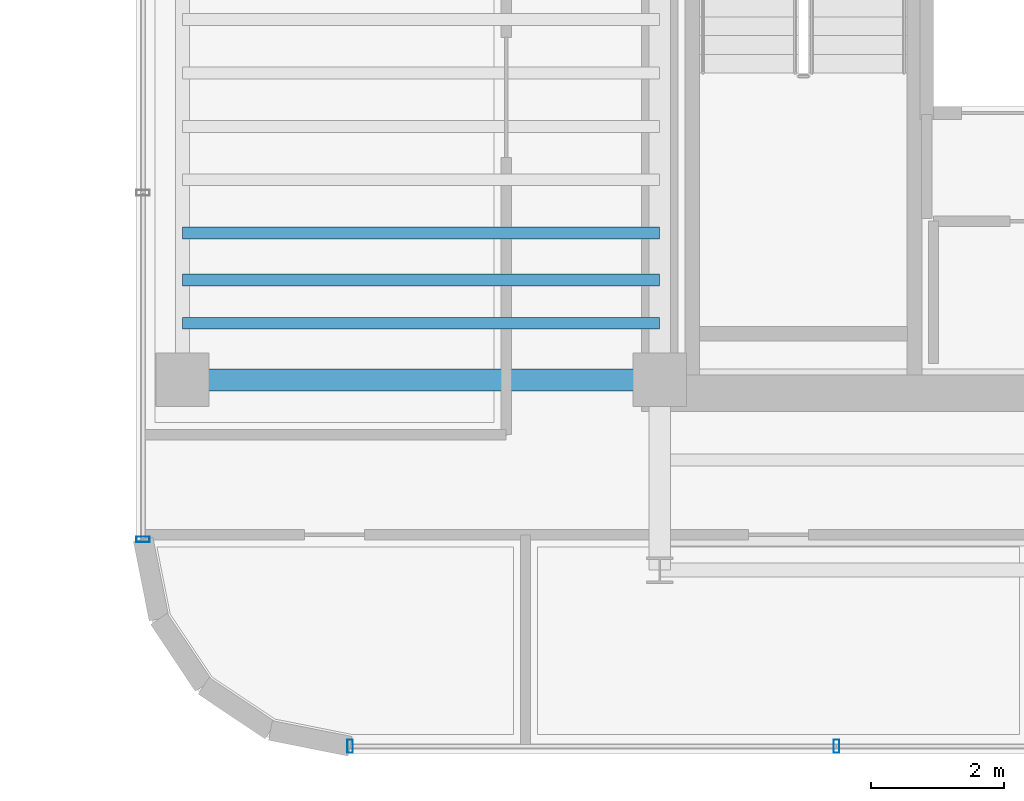
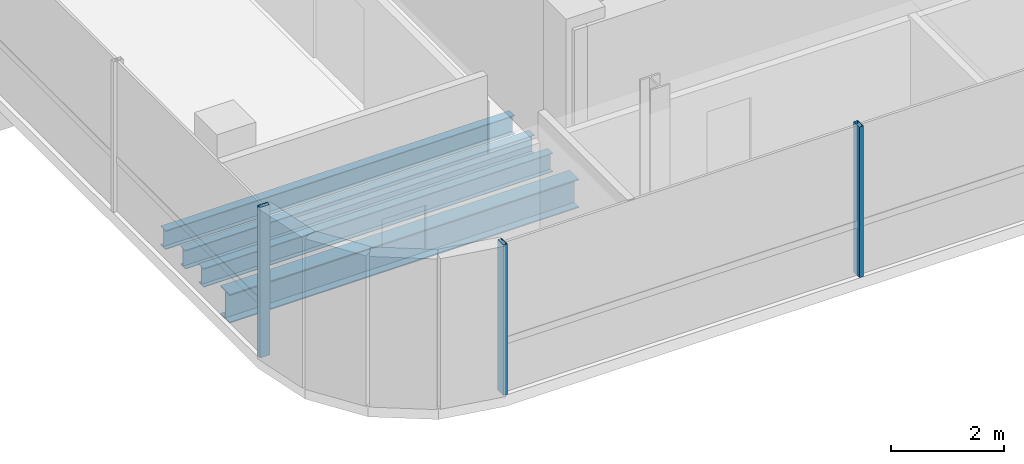
# One storey, part 2 of 18: 4 beams, 3 members, 2 elements without a shape of their own.
"""IFC4 building model written with IfcOpenShell, lengths in metres."""

from ifc_helpers import new_model, si_unit, direction, frame, origin, origin_2d, place, context, subcontext, project, spatial, hollow_rectangle, i_section, extrude, source, transform, mapped, material, material_profile, profile_set, type_object, element, aggregate, save


model = new_model("IFC4")

# Units and contexts
model_context = context("Model", 3, precision=1e-05, world=origin(), true_north=direction((0.0, 1.0)))
body_context = subcontext(model_context, "Body", "Model", "MODEL_VIEW")
ifc_project = project(units=[si_unit("LENGTHUNIT", "METRE"), si_unit("AREAUNIT", "SQUARE_METRE"), si_unit("VOLUMEUNIT", "CUBIC_METRE"), si_unit("PLANEANGLEUNIT", "RADIAN"), si_unit("MASSUNIT", "GRAM", prefix="KILO")], contexts=[model_context])

# Site, building, storey
site_placement = place(None, origin())
site = spatial("IfcSite", under=ifc_project, at=site_placement, CompositionType="ELEMENT")
building_placement = place(site_placement, origin())
building = spatial("IfcBuilding", under=site, at=building_placement, Name="Valdorenza Pilgrim Sanctuary Tower", CompositionType="ELEMENT")
storey_placement = place(building_placement, frame((0.0, 0.0, 276.5)))
storey = spatial("IfcBuildingStorey", under=building, at=storey_placement, Name="L72", CompositionType="ELEMENT", Elevation=276.5)

# Beams
ifc_material_1 = material(Name="Steel ASTM A992 Grade 50", Category="steel")
ifc_material_profile_1 = material_profile(ifc_material_1, i_section(OverallWidth=0.177978515625, OverallDepth=0.406005859375, WebThickness=0.0078125, FlangeThickness=0.0126953125, at=origin_2d()), Name="W16X40")
ifc_profile_set_1 = profile_set([ifc_material_profile_1], Name="Steel ASTM A992 Grade 50")
beam_type_1 = type_object("IfcBeamType", Name="STR-BM-JST-W16", PredefinedType="JOIST", material=ifc_profile_set_1)
shared_shape_1 = source(origin(), body_context, "Body", "SweptSolid", [
    extrude(i_section(OverallWidth=0.177978515625, OverallDepth=0.406005859375, WebThickness=0.0078125, FlangeThickness=0.0126953125, at=origin_2d()), origin(), (0.0, 0.0, 1.0), 7.150146484375),
])
for number, where, z_axis, x_axis, name in (
    (1, (-29.800048828125, -9.75, -0.443115234375), (1.0, 0.0, 0.0), (0.0, 1.0, 0.0), "L72 Composite Floor Joist JST-WA-1"),
    (2, (-29.800048828125, -9.10009765625, -0.443115234375), (1.0, 0.0, 0.0), (0.0, 1.0, 0.0), "L72 Composite Floor Joist JST-WA-2"),
    (3, (-29.800048828125, -8.39990234375, -0.443115234375), (1.0, 0.0, 0.0), (0.0, 1.0, 0.0), "L72 Composite Floor Joist JST-WA-3"),
):
    element("IfcBeam", number, at=place(storey_placement, frame(where, z_axis=z_axis, x_axis=x_axis)), inside=storey, type_object=beam_type_1, Name=name, PredefinedType="JOIST", context=body_context, shape_type="MappedRepresentation", body=[
        mapped(shared_shape_1, transform((0.0, 0.0, 0.0), x_axis=(1.0, 0.0, 0.0), y_axis=(0.0, 1.0, 0.0), z_axis=(0.0, 0.0, 1.0), scale=1.0)),
    ])
ifc_material_profile_2 = material_profile(ifc_material_1, i_section(OverallWidth=0.326904296875, OverallDepth=0.6220703125, WebThickness=0.015380859375, FlangeThickness=0.0244140625, at=origin_2d()), Name="W24X131")
ifc_profile_set_2 = profile_set([ifc_material_profile_2], Name="Steel ASTM A992 Grade 50")
beam_type_2 = type_object("IfcBeamType", Name="STR-BM-GRD-W24A", PredefinedType="BEAM", material=ifc_profile_set_2)
shared_shape_2 = source(origin(), body_context, "Body", "SweptSolid", [
    extrude(i_section(OverallWidth=0.326904296875, OverallDepth=0.6220703125, WebThickness=0.015380859375, FlangeThickness=0.0244140625, at=origin_2d()), origin(), (0.0, 0.0, 1.0), 7.150146484375),
])
beam_placement = place(storey_placement, frame((-29.800048828125, -10.60009765625, -0.551025390625), z_axis=(1.0, 0.0, 0.0), x_axis=(0.0, 1.0, 0.0)))
element("IfcBeam", 4, at=beam_placement, inside=storey, type_object=beam_type_2, Name="L72 Floor Girder WA-XW-S1", PredefinedType="BEAM", context=body_context, shape_type="MappedRepresentation", body=[
    mapped(shared_shape_2, transform((0.0, 0.0, 0.0), x_axis=(1.0, 0.0, 0.0), y_axis=(0.0, 1.0, 0.0), z_axis=(0.0, 0.0, 1.0), scale=1.0)),
])

# Curtain wall, member
ifc_material_2 = material(Name="Curtain-wall IGU glazing", Category="glass")
curtain_wall_type = type_object("IfcCurtainWallType", Name="CW-SYS-02", PredefinedType="NOTDEFINED", material=ifc_material_2)
curtain_wall_1_placement = place(storey_placement, origin())
curtain_wall_1 = element("IfcCurtainWall", 5, at=curtain_wall_1_placement, inside=storey, type_object=curtain_wall_type, Name="L72 Curtain Wall CW-L72-1-1S1", PredefinedType="NOTDEFINED")
ifc_material_3 = material(Name="Anodised aluminium AW-6060", Category="aluminium")
ifc_material_profile_3 = material_profile(ifc_material_3, hollow_rectangle(XDim=0.0849609375, YDim=0.199951171875, WallThickness=0.0048828125, at=origin_2d()), Name="ALU-M 200x85x5")
ifc_profile_set_3 = profile_set([ifc_material_profile_3], Name="Anodised aluminium AW-6060")
member_type = type_object("IfcMemberType", Name="CW-MUL-02", PredefinedType="MULLION", material=ifc_profile_set_3)
shared_shape_3 = source(origin(), body_context, "Body", "SweptSolid", [
    extrude(hollow_rectangle(XDim=0.0849609375, YDim=0.199951171875, WallThickness=0.0048828125, at=origin_2d()), origin(), (0.0, 0.0, 1.0), 3.260009765625),
])
member_1_placement = place(storey_placement, frame((-30.389892578125, -12.9892578125, 0.0), z_axis=(0.0, 0.0, 1.0), x_axis=(0.0, 1.0, 0.0)))
member_1 = element("IfcMember", 6, at=member_1_placement, type_object=member_type, Name="CW-L72-1-1S1 Mullion 1", PredefinedType="MULLION", context=body_context, shape_type="MappedRepresentation", body=[
    mapped(shared_shape_3, transform((0.0, 0.0, 0.0), x_axis=(1.0, 0.0, 0.0), y_axis=(0.0, 1.0, 0.0), z_axis=(0.0, 0.0, 1.0), scale=1.0)),
])
aggregate(curtain_wall_1, [member_1])

# Curtain wall, members
curtain_wall_2_placement = place(storey_placement, origin())
curtain_wall_2 = element("IfcCurtainWall", 7, at=curtain_wall_2_placement, inside=storey, type_object=curtain_wall_type, Name="L72 Curtain Wall CW-L72-1-26", PredefinedType="NOTDEFINED")
member_2_placement = place(storey_placement, frame((-20.0, -16.090087890625, 0.0), z_axis=(0.0, 0.0, 1.0), x_axis=(-1.0, 0.0, 0.0)))
member_2 = element("IfcMember", 8, at=member_2_placement, type_object=member_type, Name="CW-L72-1-26 Mullion 2", PredefinedType="MULLION", context=body_context, shape_type="MappedRepresentation", body=[
    mapped(shared_shape_3, transform((0.0, 0.0, 0.0), x_axis=(1.0, 0.0, 0.0), y_axis=(0.0, 1.0, 0.0), z_axis=(0.0, 0.0, 1.0), scale=1.0)),
])
member_3_placement = place(storey_placement, frame((-27.289306640625, -16.090087890625, 0.0), z_axis=(0.0, 0.0, 1.0), x_axis=(-1.0, 0.0, 0.0)))
member_3 = element("IfcMember", 9, at=member_3_placement, type_object=member_type, Name="CW-L72-1-26 Mullion 3", PredefinedType="MULLION", context=body_context, shape_type="MappedRepresentation", body=[
    mapped(shared_shape_3, transform((0.0, 0.0, 0.0), x_axis=(1.0, 0.0, 0.0), y_axis=(0.0, 1.0, 0.0), z_axis=(0.0, 0.0, 1.0), scale=1.0)),
])
aggregate(curtain_wall_2, [member_2, member_3])

save(model, "model.ifc")
